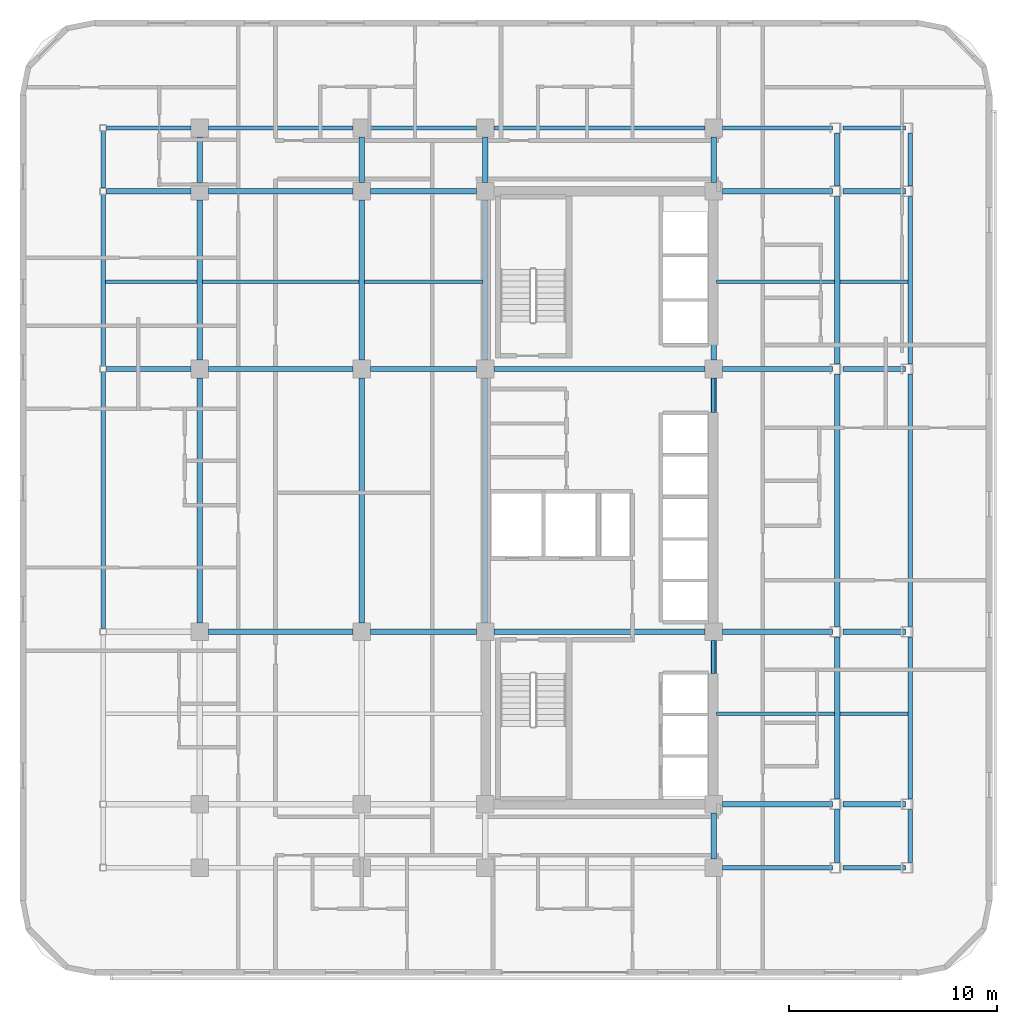
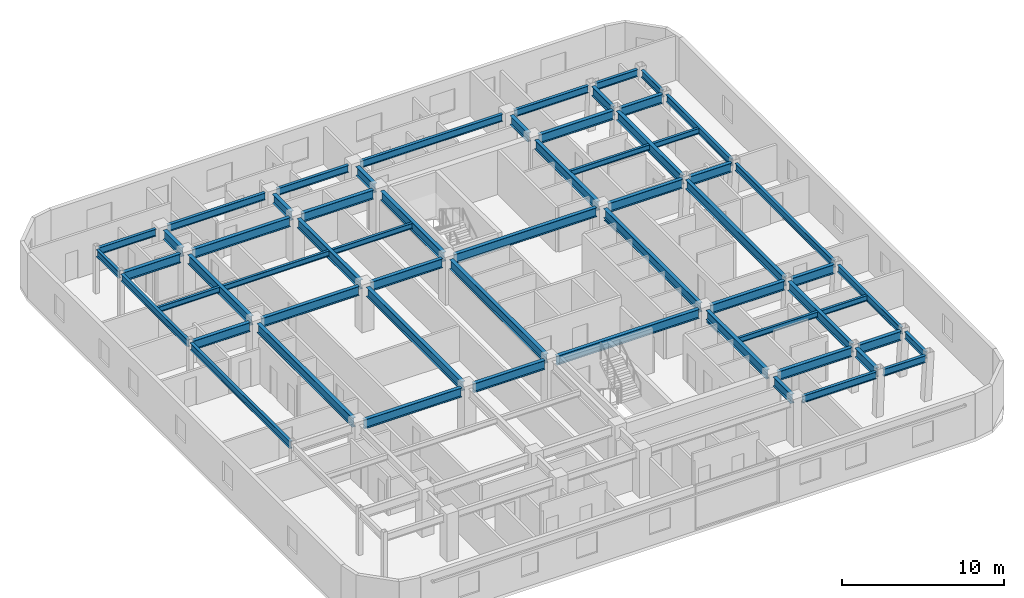
# One storey, part 5 of 15: 62 beams.
"""IFC4 building model written with IfcOpenShell, lengths in metres."""

from ifc_helpers import new_model, si_unit, direction, frame, origin, origin_2d, place, context, subcontext, project, spatial, i_section, extrude, material, material_profile, profile_set, type_object, element, save


model = new_model("IFC4")

# Units and contexts
model_context = context("Model", 3, precision=1e-05, world=origin(), true_north=direction((0.0, 1.0)))
body_context = subcontext(model_context, "Body", "Model", "MODEL_VIEW")
ifc_project = project(units=[si_unit("LENGTHUNIT", "METRE"), si_unit("AREAUNIT", "SQUARE_METRE"), si_unit("VOLUMEUNIT", "CUBIC_METRE"), si_unit("PLANEANGLEUNIT", "RADIAN"), si_unit("MASSUNIT", "GRAM", prefix="KILO")], contexts=[model_context])

# Site, building, storey
site_placement = place(None, origin())
site = spatial("IfcSite", under=ifc_project, at=site_placement, CompositionType="ELEMENT")
building_placement = place(site_placement, origin())
building = spatial("IfcBuilding", under=site, at=building_placement, Name="Ochreholt Gables", CompositionType="ELEMENT")
storey_placement = place(building_placement, frame((0.0, 0.0, 31.199951171875)))
storey = spatial("IfcBuildingStorey", under=building, at=storey_placement, Name="L07", CompositionType="ELEMENT", Elevation=31.199951171875)

# Beams
ifc_material = material(Name="Steel CSA G40.21 350W", Category="steel")
ifc_material_profile_1 = material_profile(ifc_material, i_section(OverallWidth=0.256103515625, OverallDepth=0.693115234375, WebThickness=0.014404296875, FlangeThickness=0.023681640625, at=origin_2d()), Name="W690X170")
ifc_profile_set_1 = profile_set([ifc_material_profile_1], Name="Steel CSA G40.21 350W")
beam_type_1 = type_object("IfcBeamType", Name="BM-G-W690", PredefinedType="BEAM", material=ifc_profile_set_1)
beam_1_placement = place(storey_placement, frame((35.62451171875, 9.25, 3.013427734375), z_axis=(1.0, 0.0, 0.0), x_axis=(0.0, 1.0, 0.0)))
element("IfcBeam", 1, at=beam_1_placement, inside=storey, type_object=beam_type_1, Name="L07 Beam TBG-L07-C2EM-Y2", PredefinedType="BEAM", context=body_context, shape_type="SweptSolid", body=[
    extrude(i_section(OverallWidth=0.256103515625, OverallDepth=0.693115234375, WebThickness=0.014404296875, FlangeThickness=0.023681640625, at=origin_2d()), origin(), (0.0, 0.0, 1.0), 5.27978515625),
])
beam_2_placement = place(storey_placement, frame((41.403564453125, 9.25, 3.013427734375), z_axis=(1.0, 0.0, 0.0), x_axis=(0.0, 1.0, 0.0)))
element("IfcBeam", 2, at=beam_2_placement, inside=storey, type_object=beam_type_1, Name="L07 Beam TBG-L07-EMEE-Y2", PredefinedType="BEAM", context=body_context, shape_type="SweptSolid", body=[
    extrude(i_section(OverallWidth=0.256103515625, OverallDepth=0.693115234375, WebThickness=0.014404296875, FlangeThickness=0.023681640625, at=origin_2d()), origin(), (0.0, 0.0, 1.0), 3.02197265625),
])
beam_3_placement = place(storey_placement, frame((10.87451171875, 17.550048828125, 3.013427734375), z_axis=(1.0, 0.0, 0.0), x_axis=(0.0, 1.0, 0.0)))
element("IfcBeam", 3, at=beam_3_placement, inside=storey, type_object=beam_type_1, Name="L07 Beam TBG-L07-W2W3-Y3", PredefinedType="BEAM", context=body_context, shape_type="SweptSolid", body=[
    extrude(i_section(OverallWidth=0.256103515625, OverallDepth=0.693115234375, WebThickness=0.014404296875, FlangeThickness=0.023681640625, at=origin_2d()), origin(), (0.0, 0.0, 1.0), 6.950927734375),
])
beam_4_placement = place(storey_placement, frame((18.674560546875, 17.550048828125, 3.013427734375), z_axis=(1.0, 0.0, 0.0), x_axis=(0.0, 1.0, 0.0)))
element("IfcBeam", 4, at=beam_4_placement, inside=storey, type_object=beam_type_1, Name="L07 Beam TBG-L07-W3C1-Y3", PredefinedType="BEAM", context=body_context, shape_type="SweptSolid", body=[
    extrude(i_section(OverallWidth=0.256103515625, OverallDepth=0.693115234375, WebThickness=0.014404296875, FlangeThickness=0.023681640625, at=origin_2d()), origin(), (0.0, 0.0, 1.0), 5.100830078125),
])
beam_5_placement = place(storey_placement, frame((24.62451171875, 17.550048828125, 3.013427734375), z_axis=(1.0, 0.0, 0.0), x_axis=(0.0, 1.0, 0.0)))
element("IfcBeam", 5, at=beam_5_placement, inside=storey, type_object=beam_type_1, Name="L07 Beam TBG-L07-C1C2-Y3", PredefinedType="BEAM", context=body_context, shape_type="SweptSolid", body=[
    extrude(i_section(OverallWidth=0.256103515625, OverallDepth=0.693115234375, WebThickness=0.014404296875, FlangeThickness=0.023681640625, at=origin_2d()), origin(), (0.0, 0.0, 1.0), 10.15087890625),
])
beam_6_placement = place(storey_placement, frame((35.62451171875, 17.550048828125, 3.013427734375), z_axis=(1.0, 0.0, 0.0), x_axis=(0.0, 1.0, 0.0)))
element("IfcBeam", 6, at=beam_6_placement, inside=storey, type_object=beam_type_1, Name="L07 Beam TBG-L07-C2EM-Y3", PredefinedType="BEAM", context=body_context, shape_type="SweptSolid", body=[
    extrude(i_section(OverallWidth=0.256103515625, OverallDepth=0.693115234375, WebThickness=0.014404296875, FlangeThickness=0.023681640625, at=origin_2d()), origin(), (0.0, 0.0, 1.0), 5.27978515625),
])
beam_7_placement = place(storey_placement, frame((41.403564453125, 17.550048828125, 3.013427734375), z_axis=(1.0, 0.0, 0.0), x_axis=(0.0, 1.0, 0.0)))
element("IfcBeam", 7, at=beam_7_placement, inside=storey, type_object=beam_type_1, Name="L07 Beam TBG-L07-EMEE-Y3", PredefinedType="BEAM", context=body_context, shape_type="SweptSolid", body=[
    extrude(i_section(OverallWidth=0.256103515625, OverallDepth=0.693115234375, WebThickness=0.014404296875, FlangeThickness=0.023681640625, at=origin_2d()), origin(), (0.0, 0.0, 1.0), 3.02197265625),
])
beam_8_placement = place(storey_placement, frame((5.9521484375, 30.199951171875, 3.013427734375), z_axis=(1.0, 0.0, 0.0), x_axis=(0.0, 1.0, 0.0)))
element("IfcBeam", 8, at=beam_8_placement, inside=storey, type_object=beam_type_1, Name="L07 Beam TBG-L07-WTW2-Y4", PredefinedType="BEAM", context=body_context, shape_type="SweptSolid", body=[
    extrude(i_section(OverallWidth=0.256103515625, OverallDepth=0.693115234375, WebThickness=0.014404296875, FlangeThickness=0.023681640625, at=origin_2d()), origin(), (0.0, 0.0, 1.0), 4.0732421875),
])
beam_9_placement = place(storey_placement, frame((10.87451171875, 30.199951171875, 3.013427734375), z_axis=(1.0, 0.0, 0.0), x_axis=(0.0, 1.0, 0.0)))
element("IfcBeam", 9, at=beam_9_placement, inside=storey, type_object=beam_type_1, Name="L07 Beam TBG-L07-W2W3-Y4", PredefinedType="BEAM", context=body_context, shape_type="SweptSolid", body=[
    extrude(i_section(OverallWidth=0.256103515625, OverallDepth=0.693115234375, WebThickness=0.014404296875, FlangeThickness=0.023681640625, at=origin_2d()), origin(), (0.0, 0.0, 1.0), 6.950927734375),
])
beam_10_placement = place(storey_placement, frame((18.674560546875, 30.199951171875, 3.013427734375), z_axis=(1.0, 0.0, 0.0), x_axis=(0.0, 1.0, 0.0)))
element("IfcBeam", 10, at=beam_10_placement, inside=storey, type_object=beam_type_1, Name="L07 Beam TBG-L07-W3C1-Y4", PredefinedType="BEAM", context=body_context, shape_type="SweptSolid", body=[
    extrude(i_section(OverallWidth=0.256103515625, OverallDepth=0.693115234375, WebThickness=0.014404296875, FlangeThickness=0.023681640625, at=origin_2d()), origin(), (0.0, 0.0, 1.0), 5.100830078125),
])
beam_11_placement = place(storey_placement, frame((24.62451171875, 30.199951171875, 3.013427734375), z_axis=(1.0, 0.0, 0.0), x_axis=(0.0, 1.0, 0.0)))
element("IfcBeam", 11, at=beam_11_placement, inside=storey, type_object=beam_type_1, Name="L07 Beam TBG-L07-C1C2-Y4", PredefinedType="BEAM", context=body_context, shape_type="SweptSolid", body=[
    extrude(i_section(OverallWidth=0.256103515625, OverallDepth=0.693115234375, WebThickness=0.014404296875, FlangeThickness=0.023681640625, at=origin_2d()), origin(), (0.0, 0.0, 1.0), 10.15087890625),
])
beam_12_placement = place(storey_placement, frame((35.62451171875, 30.199951171875, 3.013427734375), z_axis=(1.0, 0.0, 0.0), x_axis=(0.0, 1.0, 0.0)))
element("IfcBeam", 12, at=beam_12_placement, inside=storey, type_object=beam_type_1, Name="L07 Beam TBG-L07-C2EM-Y4", PredefinedType="BEAM", context=body_context, shape_type="SweptSolid", body=[
    extrude(i_section(OverallWidth=0.256103515625, OverallDepth=0.693115234375, WebThickness=0.014404296875, FlangeThickness=0.023681640625, at=origin_2d()), origin(), (0.0, 0.0, 1.0), 5.27978515625),
])
beam_13_placement = place(storey_placement, frame((41.403564453125, 30.199951171875, 3.013427734375), z_axis=(1.0, 0.0, 0.0), x_axis=(0.0, 1.0, 0.0)))
element("IfcBeam", 13, at=beam_13_placement, inside=storey, type_object=beam_type_1, Name="L07 Beam TBG-L07-EMEE-Y4", PredefinedType="BEAM", context=body_context, shape_type="SweptSolid", body=[
    extrude(i_section(OverallWidth=0.256103515625, OverallDepth=0.693115234375, WebThickness=0.014404296875, FlangeThickness=0.023681640625, at=origin_2d()), origin(), (0.0, 0.0, 1.0), 3.02197265625),
])
beam_14_placement = place(storey_placement, frame((5.9521484375, 38.75, 3.013427734375), z_axis=(1.0, 0.0, 0.0), x_axis=(0.0, 1.0, 0.0)))
element("IfcBeam", 14, at=beam_14_placement, inside=storey, type_object=beam_type_1, Name="L07 Beam TBG-L07-WTW2-Y5", PredefinedType="BEAM", context=body_context, shape_type="SweptSolid", body=[
    extrude(i_section(OverallWidth=0.256103515625, OverallDepth=0.693115234375, WebThickness=0.014404296875, FlangeThickness=0.023681640625, at=origin_2d()), origin(), (0.0, 0.0, 1.0), 4.0732421875),
])
beam_15_placement = place(storey_placement, frame((10.87451171875, 38.75, 3.013427734375), z_axis=(1.0, 0.0, 0.0), x_axis=(0.0, 1.0, 0.0)))
element("IfcBeam", 15, at=beam_15_placement, inside=storey, type_object=beam_type_1, Name="L07 Beam TBG-L07-W2W3-Y5", PredefinedType="BEAM", context=body_context, shape_type="SweptSolid", body=[
    extrude(i_section(OverallWidth=0.256103515625, OverallDepth=0.693115234375, WebThickness=0.014404296875, FlangeThickness=0.023681640625, at=origin_2d()), origin(), (0.0, 0.0, 1.0), 6.950927734375),
])
beam_16_placement = place(storey_placement, frame((18.674560546875, 38.75, 3.013427734375), z_axis=(1.0, 0.0, 0.0), x_axis=(0.0, 1.0, 0.0)))
element("IfcBeam", 16, at=beam_16_placement, inside=storey, type_object=beam_type_1, Name="L07 Beam TBG-L07-W3C1-Y5", PredefinedType="BEAM", context=body_context, shape_type="SweptSolid", body=[
    extrude(i_section(OverallWidth=0.256103515625, OverallDepth=0.693115234375, WebThickness=0.014404296875, FlangeThickness=0.023681640625, at=origin_2d()), origin(), (0.0, 0.0, 1.0), 5.100830078125),
])
beam_17_placement = place(storey_placement, frame((35.62451171875, 38.75, 3.013427734375), z_axis=(1.0, 0.0, 0.0), x_axis=(0.0, 1.0, 0.0)))
element("IfcBeam", 17, at=beam_17_placement, inside=storey, type_object=beam_type_1, Name="L07 Beam TBG-L07-C2EM-Y5", PredefinedType="BEAM", context=body_context, shape_type="SweptSolid", body=[
    extrude(i_section(OverallWidth=0.256103515625, OverallDepth=0.693115234375, WebThickness=0.014404296875, FlangeThickness=0.023681640625, at=origin_2d()), origin(), (0.0, 0.0, 1.0), 5.27978515625),
])
beam_18_placement = place(storey_placement, frame((41.403564453125, 38.75, 3.013427734375), z_axis=(1.0, 0.0, 0.0), x_axis=(0.0, 1.0, 0.0)))
element("IfcBeam", 18, at=beam_18_placement, inside=storey, type_object=beam_type_1, Name="L07 Beam TBG-L07-EMEE-Y5", PredefinedType="BEAM", context=body_context, shape_type="SweptSolid", body=[
    extrude(i_section(OverallWidth=0.256103515625, OverallDepth=0.693115234375, WebThickness=0.014404296875, FlangeThickness=0.023681640625, at=origin_2d()), origin(), (0.0, 0.0, 1.0), 3.02197265625),
])
beam_19_placement = place(storey_placement, frame((10.449951171875, 17.974609375, 3.013427734375), z_axis=(0.0, 1.0, 0.0), x_axis=(-1.0, 0.0, 0.0)))
element("IfcBeam", 19, at=beam_19_placement, inside=storey, type_object=beam_type_1, Name="L07 Beam TBN-L07-W2-Y3Y4", PredefinedType="BEAM", context=body_context, shape_type="SweptSolid", body=[
    extrude(i_section(OverallWidth=0.256103515625, OverallDepth=0.693115234375, WebThickness=0.014404296875, FlangeThickness=0.023681640625, at=origin_2d()), origin(), (0.0, 0.0, 1.0), 11.80078125),
])
beam_20_placement = place(storey_placement, frame((10.449951171875, 30.62451171875, 3.013427734375), z_axis=(0.0, 1.0, 0.0), x_axis=(-1.0, 0.0, 0.0)))
element("IfcBeam", 20, at=beam_20_placement, inside=storey, type_object=beam_type_1, Name="L07 Beam TBN-L07-W2-Y4Y5", PredefinedType="BEAM", context=body_context, shape_type="SweptSolid", body=[
    extrude(i_section(OverallWidth=0.256103515625, OverallDepth=0.693115234375, WebThickness=0.014404296875, FlangeThickness=0.023681640625, at=origin_2d()), origin(), (0.0, 0.0, 1.0), 7.700927734375),
])
beam_21_placement = place(storey_placement, frame((10.449951171875, 39.174560546875, 3.013427734375), z_axis=(0.0, 1.0, 0.0), x_axis=(-1.0, 0.0, 0.0)))
element("IfcBeam", 21, at=beam_21_placement, inside=storey, type_object=beam_type_1, Name="L07 Beam TBN-L07-W2-Y5Y6", PredefinedType="BEAM", context=body_context, shape_type="SweptSolid", body=[
    extrude(i_section(OverallWidth=0.256103515625, OverallDepth=0.693115234375, WebThickness=0.014404296875, FlangeThickness=0.023681640625, at=origin_2d()), origin(), (0.0, 0.0, 1.0), 2.200927734375),
])
beam_22_placement = place(storey_placement, frame((18.25, 17.974609375, 3.013427734375), z_axis=(0.0, 1.0, 0.0), x_axis=(-1.0, 0.0, 0.0)))
element("IfcBeam", 22, at=beam_22_placement, inside=storey, type_object=beam_type_1, Name="L07 Beam TBN-L07-W3-Y3Y4", PredefinedType="BEAM", context=body_context, shape_type="SweptSolid", body=[
    extrude(i_section(OverallWidth=0.256103515625, OverallDepth=0.693115234375, WebThickness=0.014404296875, FlangeThickness=0.023681640625, at=origin_2d()), origin(), (0.0, 0.0, 1.0), 11.80078125),
])
beam_23_placement = place(storey_placement, frame((18.25, 30.62451171875, 3.013427734375), z_axis=(0.0, 1.0, 0.0), x_axis=(-1.0, 0.0, 0.0)))
element("IfcBeam", 23, at=beam_23_placement, inside=storey, type_object=beam_type_1, Name="L07 Beam TBN-L07-W3-Y4Y5", PredefinedType="BEAM", context=body_context, shape_type="SweptSolid", body=[
    extrude(i_section(OverallWidth=0.256103515625, OverallDepth=0.693115234375, WebThickness=0.014404296875, FlangeThickness=0.023681640625, at=origin_2d()), origin(), (0.0, 0.0, 1.0), 7.700927734375),
])
beam_24_placement = place(storey_placement, frame((18.25, 39.174560546875, 3.013427734375), z_axis=(0.0, 1.0, 0.0), x_axis=(-1.0, 0.0, 0.0)))
element("IfcBeam", 24, at=beam_24_placement, inside=storey, type_object=beam_type_1, Name="L07 Beam TBN-L07-W3-Y5Y6", PredefinedType="BEAM", context=body_context, shape_type="SweptSolid", body=[
    extrude(i_section(OverallWidth=0.256103515625, OverallDepth=0.693115234375, WebThickness=0.014404296875, FlangeThickness=0.023681640625, at=origin_2d()), origin(), (0.0, 0.0, 1.0), 2.200927734375),
])
beam_25_placement = place(storey_placement, frame((24.199951171875, 17.974609375, 3.013427734375), z_axis=(0.0, 1.0, 0.0), x_axis=(-1.0, 0.0, 0.0)))
element("IfcBeam", 25, at=beam_25_placement, inside=storey, type_object=beam_type_1, Name="L07 Beam TBN-L07-C1-Y3Y4", PredefinedType="BEAM", context=body_context, shape_type="SweptSolid", body=[
    extrude(i_section(OverallWidth=0.256103515625, OverallDepth=0.693115234375, WebThickness=0.014404296875, FlangeThickness=0.023681640625, at=origin_2d()), origin(), (0.0, 0.0, 1.0), 11.80078125),
])
beam_26_placement = place(storey_placement, frame((24.199951171875, 30.62451171875, 3.013427734375), z_axis=(0.0, 1.0, 0.0), x_axis=(-1.0, 0.0, 0.0)))
element("IfcBeam", 26, at=beam_26_placement, inside=storey, type_object=beam_type_1, Name="L07 Beam TBN-L07-C1-Y4Y5", PredefinedType="BEAM", context=body_context, shape_type="SweptSolid", body=[
    extrude(i_section(OverallWidth=0.256103515625, OverallDepth=0.693115234375, WebThickness=0.014404296875, FlangeThickness=0.023681640625, at=origin_2d()), origin(), (0.0, 0.0, 1.0), 7.700927734375),
])
for number, where, z_axis, x_axis, name in (
    (27, (24.199951171875, 39.174560546875, 3.013427734375), (0.0, 1.0, 0.0), (-1.0, 0.0, 0.0), "L07 Beam TBN-L07-C1-Y5Y6"),
    (28, (35.199951171875, 6.62451171875, 3.013427734375), (0.0, 1.0, 0.0), (-1.0, 0.0, 0.0), "L07 Beam TBN-L07-C2-Y1Y2"),
):
    element("IfcBeam", number, at=place(storey_placement, frame(where, z_axis=z_axis, x_axis=x_axis)), inside=storey, type_object=beam_type_1, Name=name, PredefinedType="BEAM", context=body_context, shape_type="SweptSolid", body=[
        extrude(i_section(OverallWidth=0.256103515625, OverallDepth=0.693115234375, WebThickness=0.014404296875, FlangeThickness=0.023681640625, at=origin_2d()), origin(), (0.0, 0.0, 1.0), 2.200927734375),
    ])
beam_27_placement = place(storey_placement, frame((35.199951171875, 9.674560546875, 3.013427734375), z_axis=(0.0, 1.0, 0.0), x_axis=(-1.0, 0.0, 0.0)))
element("IfcBeam", 29, at=beam_27_placement, inside=storey, type_object=beam_type_1, Name="L07 Beam TBN-L07-C2-Y2Y3", PredefinedType="BEAM", context=body_context, shape_type="SweptSolid", body=[
    extrude(i_section(OverallWidth=0.256103515625, OverallDepth=0.693115234375, WebThickness=0.014404296875, FlangeThickness=0.023681640625, at=origin_2d()), origin(), (0.0, 0.0, 1.0), 7.450927734375),
])
beam_28_placement = place(storey_placement, frame((35.199951171875, 17.974609375, 3.013427734375), z_axis=(0.0, 1.0, 0.0), x_axis=(-1.0, 0.0, 0.0)))
element("IfcBeam", 30, at=beam_28_placement, inside=storey, type_object=beam_type_1, Name="L07 Beam TBN-L07-C2-Y3Y4", PredefinedType="BEAM", context=body_context, shape_type="SweptSolid", body=[
    extrude(i_section(OverallWidth=0.256103515625, OverallDepth=0.693115234375, WebThickness=0.014404296875, FlangeThickness=0.023681640625, at=origin_2d()), origin(), (0.0, 0.0, 1.0), 11.80078125),
])
beam_29_placement = place(storey_placement, frame((35.199951171875, 30.62451171875, 3.013427734375), z_axis=(0.0, 1.0, 0.0), x_axis=(-1.0, 0.0, 0.0)))
element("IfcBeam", 31, at=beam_29_placement, inside=storey, type_object=beam_type_1, Name="L07 Beam TBN-L07-C2-Y4Y5", PredefinedType="BEAM", context=body_context, shape_type="SweptSolid", body=[
    extrude(i_section(OverallWidth=0.256103515625, OverallDepth=0.693115234375, WebThickness=0.014404296875, FlangeThickness=0.023681640625, at=origin_2d()), origin(), (0.0, 0.0, 1.0), 7.700927734375),
])
beam_30_placement = place(storey_placement, frame((35.199951171875, 39.174560546875, 3.013427734375), z_axis=(0.0, 1.0, 0.0), x_axis=(-1.0, 0.0, 0.0)))
element("IfcBeam", 32, at=beam_30_placement, inside=storey, type_object=beam_type_1, Name="L07 Beam TBN-L07-C2-Y5Y6", PredefinedType="BEAM", context=body_context, shape_type="SweptSolid", body=[
    extrude(i_section(OverallWidth=0.256103515625, OverallDepth=0.693115234375, WebThickness=0.014404296875, FlangeThickness=0.023681640625, at=origin_2d()), origin(), (0.0, 0.0, 1.0), 2.200927734375),
])
beam_31_placement = place(storey_placement, frame((41.136962890625, 6.44970703125, 3.013427734375), z_axis=(0.0, 1.0, 0.0), x_axis=(-1.0, 0.0, 0.0)))
element("IfcBeam", 33, at=beam_31_placement, inside=storey, type_object=beam_type_1, Name="L07 Beam TBN-L07-EM-Y1Y2", PredefinedType="BEAM", context=body_context, shape_type="SweptSolid", body=[
    extrude(i_section(OverallWidth=0.256103515625, OverallDepth=0.693115234375, WebThickness=0.014404296875, FlangeThickness=0.023681640625, at=origin_2d()), origin(), (0.0, 0.0, 1.0), 2.55078125),
])
beam_32_placement = place(storey_placement, frame((41.136962890625, 9.49951171875, 3.013427734375), z_axis=(0.0, 1.0, 0.0), x_axis=(-1.0, 0.0, 0.0)))
element("IfcBeam", 34, at=beam_32_placement, inside=storey, type_object=beam_type_1, Name="L07 Beam TBN-L07-EM-Y2Y3", PredefinedType="BEAM", context=body_context, shape_type="SweptSolid", body=[
    extrude(i_section(OverallWidth=0.256103515625, OverallDepth=0.693115234375, WebThickness=0.014404296875, FlangeThickness=0.023681640625, at=origin_2d()), origin(), (0.0, 0.0, 1.0), 7.80078125),
])
beam_33_placement = place(storey_placement, frame((41.136962890625, 17.799560546875, 3.013427734375), z_axis=(0.0, 1.0, 0.0), x_axis=(-1.0, 0.0, 0.0)))
element("IfcBeam", 35, at=beam_33_placement, inside=storey, type_object=beam_type_1, Name="L07 Beam TBN-L07-EM-Y3Y4", PredefinedType="BEAM", context=body_context, shape_type="SweptSolid", body=[
    extrude(i_section(OverallWidth=0.256103515625, OverallDepth=0.693115234375, WebThickness=0.014404296875, FlangeThickness=0.023681640625, at=origin_2d()), origin(), (0.0, 0.0, 1.0), 12.15087890625),
])
beam_34_placement = place(storey_placement, frame((41.136962890625, 30.44970703125, 3.013427734375), z_axis=(0.0, 1.0, 0.0), x_axis=(-1.0, 0.0, 0.0)))
element("IfcBeam", 36, at=beam_34_placement, inside=storey, type_object=beam_type_1, Name="L07 Beam TBN-L07-EM-Y4Y5", PredefinedType="BEAM", context=body_context, shape_type="SweptSolid", body=[
    extrude(i_section(OverallWidth=0.256103515625, OverallDepth=0.693115234375, WebThickness=0.014404296875, FlangeThickness=0.023681640625, at=origin_2d()), origin(), (0.0, 0.0, 1.0), 8.05078125),
])
beam_35_placement = place(storey_placement, frame((41.136962890625, 38.99951171875, 3.013427734375), z_axis=(0.0, 1.0, 0.0), x_axis=(-1.0, 0.0, 0.0)))
element("IfcBeam", 37, at=beam_35_placement, inside=storey, type_object=beam_type_1, Name="L07 Beam TBN-L07-EM-Y5Y6", PredefinedType="BEAM", context=body_context, shape_type="SweptSolid", body=[
    extrude(i_section(OverallWidth=0.256103515625, OverallDepth=0.693115234375, WebThickness=0.014404296875, FlangeThickness=0.023681640625, at=origin_2d()), origin(), (0.0, 0.0, 1.0), 2.55078125),
])
ifc_material_profile_2 = material_profile(ifc_material, i_section(OverallWidth=0.178955078125, OverallDepth=0.409912109375, WebThickness=0.0087890625, FlangeThickness=0.014404296875, at=origin_2d()), Name="W410X67")
ifc_profile_set_2 = profile_set([ifc_material_profile_2], Name="Steel CSA G40.21 350W")
beam_type_2 = type_object("IfcBeamType", Name="BM-J-W410", PredefinedType="JOIST", material=ifc_profile_set_2)
beam_36_placement = place(storey_placement, frame((35.32763671875, 13.60009765625, 3.155029296875), z_axis=(1.0, 0.0, 0.0), x_axis=(0.0, 1.0, 0.0)))
element("IfcBeam", 38, at=beam_36_placement, inside=storey, type_object=beam_type_2, Name="L07 Beam TBJ-L07-J1-C2EM", PredefinedType="JOIST", context=body_context, shape_type="SweptSolid", body=[
    extrude(i_section(OverallWidth=0.178955078125, OverallDepth=0.409912109375, WebThickness=0.0087890625, FlangeThickness=0.014404296875, at=origin_2d()), origin(), (0.0, 0.0, 1.0), 5.681640625),
])
beam_37_placement = place(storey_placement, frame((41.264404296875, 13.60009765625, 3.155029296875), z_axis=(1.0, 0.0, 0.0), x_axis=(0.0, 1.0, 0.0)))
element("IfcBeam", 39, at=beam_37_placement, inside=storey, type_object=beam_type_2, Name="L07 Beam TBJ-L07-J1-EMEE", PredefinedType="JOIST", context=body_context, shape_type="SweptSolid", body=[
    extrude(i_section(OverallWidth=0.178955078125, OverallDepth=0.409912109375, WebThickness=0.0087890625, FlangeThickness=0.014404296875, at=origin_2d()), origin(), (0.0, 0.0, 1.0), 3.2783203125),
])
beam_38_placement = place(storey_placement, frame((5.904052734375, 34.39990234375, 3.155029296875), z_axis=(1.0, 0.0, 0.0), x_axis=(0.0, 1.0, 0.0)))
element("IfcBeam", 40, at=beam_38_placement, inside=storey, type_object=beam_type_2, Name="L07 Beam TBJ-L07-J2-WTW2", PredefinedType="JOIST", context=body_context, shape_type="SweptSolid", body=[
    extrude(i_section(OverallWidth=0.178955078125, OverallDepth=0.409912109375, WebThickness=0.0087890625, FlangeThickness=0.014404296875, at=origin_2d()), origin(), (0.0, 0.0, 1.0), 4.41845703125),
])
beam_39_placement = place(storey_placement, frame((10.57763671875, 34.39990234375, 3.155029296875), z_axis=(1.0, 0.0, 0.0), x_axis=(0.0, 1.0, 0.0)))
element("IfcBeam", 41, at=beam_39_placement, inside=storey, type_object=beam_type_2, Name="L07 Beam TBJ-L07-J2-W2W3", PredefinedType="JOIST", context=body_context, shape_type="SweptSolid", body=[
    extrude(i_section(OverallWidth=0.178955078125, OverallDepth=0.409912109375, WebThickness=0.0087890625, FlangeThickness=0.014404296875, at=origin_2d()), origin(), (0.0, 0.0, 1.0), 7.544677734375),
])
beam_40_placement = place(storey_placement, frame((18.377685546875, 34.39990234375, 3.155029296875), z_axis=(1.0, 0.0, 0.0), x_axis=(0.0, 1.0, 0.0)))
element("IfcBeam", 42, at=beam_40_placement, inside=storey, type_object=beam_type_2, Name="L07 Beam TBJ-L07-J2-W3C1", PredefinedType="JOIST", context=body_context, shape_type="SweptSolid", body=[
    extrude(i_section(OverallWidth=0.178955078125, OverallDepth=0.409912109375, WebThickness=0.0087890625, FlangeThickness=0.014404296875, at=origin_2d()), origin(), (0.0, 0.0, 1.0), 5.69482421875),
])
beam_41_placement = place(storey_placement, frame((35.32763671875, 34.39990234375, 3.155029296875), z_axis=(1.0, 0.0, 0.0), x_axis=(0.0, 1.0, 0.0)))
element("IfcBeam", 43, at=beam_41_placement, inside=storey, type_object=beam_type_2, Name="L07 Beam TBJ-L07-J2-C2EM", PredefinedType="JOIST", context=body_context, shape_type="SweptSolid", body=[
    extrude(i_section(OverallWidth=0.178955078125, OverallDepth=0.409912109375, WebThickness=0.0087890625, FlangeThickness=0.014404296875, at=origin_2d()), origin(), (0.0, 0.0, 1.0), 5.681640625),
])
beam_42_placement = place(storey_placement, frame((41.264404296875, 34.39990234375, 3.155029296875), z_axis=(1.0, 0.0, 0.0), x_axis=(0.0, 1.0, 0.0)))
element("IfcBeam", 44, at=beam_42_placement, inside=storey, type_object=beam_type_2, Name="L07 Beam TBJ-L07-J2-EMEE", PredefinedType="JOIST", context=body_context, shape_type="SweptSolid", body=[
    extrude(i_section(OverallWidth=0.178955078125, OverallDepth=0.409912109375, WebThickness=0.0087890625, FlangeThickness=0.014404296875, at=origin_2d()), origin(), (0.0, 0.0, 1.0), 3.2783203125),
])
ifc_material_profile_3 = material_profile(ifc_material, i_section(OverallWidth=0.1650390625, OverallDepth=0.200927734375, WebThickness=0.006103515625, FlangeThickness=0.01025390625, at=origin_2d()), Name="W200X36")
ifc_profile_set_3 = profile_set([ifc_material_profile_3], Name="Steel CSA G40.21 350W")
beam_type_3 = type_object("IfcBeamType", Name="BM-LIN-W200", PredefinedType="LINTEL", material=ifc_profile_set_3)
beam_43_placement = place(storey_placement, frame((35.175048828125, 15.550048828125, 2.566650390625), z_axis=(0.0, 1.0, 0.0), x_axis=(-1.0, 0.0, 0.0)))
element("IfcBeam", 45, at=beam_43_placement, inside=storey, type_object=beam_type_3, Name="L07 Core Coupling Lintel CPS", PredefinedType="LINTEL", context=body_context, shape_type="SweptSolid", body=[
    extrude(i_section(OverallWidth=0.1650390625, OverallDepth=0.200927734375, WebThickness=0.006103515625, FlangeThickness=0.01025390625, at=origin_2d()), origin(), (0.0, 0.0, 1.0), 1.574951171875),
])
beam_44_placement = place(storey_placement, frame((35.175048828125, 28.10009765625, 2.566650390625), z_axis=(0.0, 1.0, 0.0), x_axis=(-1.0, 0.0, 0.0)))
element("IfcBeam", 46, at=beam_44_placement, inside=storey, type_object=beam_type_3, Name="L07 Core Coupling Lintel CPN", PredefinedType="LINTEL", context=body_context, shape_type="SweptSolid", body=[
    extrude(i_section(OverallWidth=0.1650390625, OverallDepth=0.200927734375, WebThickness=0.006103515625, FlangeThickness=0.01025390625, at=origin_2d()), origin(), (0.0, 0.0, 1.0), 1.6748046875),
])
ifc_material_profile_4 = material_profile(ifc_material, i_section(OverallWidth=0.208984375, OverallDepth=0.532958984375, WebThickness=0.01025390625, FlangeThickness=0.015625, at=origin_2d()), Name="W530X92")
ifc_profile_set_4 = profile_set([ifc_material_profile_4], Name="Steel CSA G40.21 350W")
beam_type_4 = type_object("IfcBeamType", Name="BM-SP-W530B", PredefinedType="SPANDREL", material=ifc_profile_set_4)
beam_45_placement = place(storey_placement, frame((35.62451171875, 6.199951171875, 3.093505859375), z_axis=(1.0, 0.0, 0.0), x_axis=(0.0, 1.0, 0.0)))
element("IfcBeam", 47, at=beam_45_placement, inside=storey, type_object=beam_type_4, Name="L07 Beam TBG-L07-C2EM-Y1", PredefinedType="SPANDREL", context=body_context, shape_type="SweptSolid", body=[
    extrude(i_section(OverallWidth=0.208984375, OverallDepth=0.532958984375, WebThickness=0.01025390625, FlangeThickness=0.015625, at=origin_2d()), origin(), (0.0, 0.0, 1.0), 5.27978515625),
])
beam_46_placement = place(storey_placement, frame((41.403564453125, 6.199951171875, 3.093505859375), z_axis=(1.0, 0.0, 0.0), x_axis=(0.0, 1.0, 0.0)))
element("IfcBeam", 48, at=beam_46_placement, inside=storey, type_object=beam_type_4, Name="L07 Beam TBG-L07-EMEE-Y1", PredefinedType="SPANDREL", context=body_context, shape_type="SweptSolid", body=[
    extrude(i_section(OverallWidth=0.208984375, OverallDepth=0.532958984375, WebThickness=0.01025390625, FlangeThickness=0.015625, at=origin_2d()), origin(), (0.0, 0.0, 1.0), 3.02197265625),
])
beam_47_placement = place(storey_placement, frame((5.9521484375, 41.800048828125, 3.093505859375), z_axis=(1.0, 0.0, 0.0), x_axis=(0.0, 1.0, 0.0)))
element("IfcBeam", 49, at=beam_47_placement, inside=storey, type_object=beam_type_4, Name="L07 Beam TBG-L07-WTW2-Y6", PredefinedType="SPANDREL", context=body_context, shape_type="SweptSolid", body=[
    extrude(i_section(OverallWidth=0.208984375, OverallDepth=0.532958984375, WebThickness=0.01025390625, FlangeThickness=0.015625, at=origin_2d()), origin(), (0.0, 0.0, 1.0), 4.0732421875),
])
beam_48_placement = place(storey_placement, frame((10.87451171875, 41.800048828125, 3.093505859375), z_axis=(1.0, 0.0, 0.0), x_axis=(0.0, 1.0, 0.0)))
element("IfcBeam", 50, at=beam_48_placement, inside=storey, type_object=beam_type_4, Name="L07 Beam TBG-L07-W2W3-Y6", PredefinedType="SPANDREL", context=body_context, shape_type="SweptSolid", body=[
    extrude(i_section(OverallWidth=0.208984375, OverallDepth=0.532958984375, WebThickness=0.01025390625, FlangeThickness=0.015625, at=origin_2d()), origin(), (0.0, 0.0, 1.0), 6.950927734375),
])
beam_49_placement = place(storey_placement, frame((18.674560546875, 41.800048828125, 3.093505859375), z_axis=(1.0, 0.0, 0.0), x_axis=(0.0, 1.0, 0.0)))
element("IfcBeam", 51, at=beam_49_placement, inside=storey, type_object=beam_type_4, Name="L07 Beam TBG-L07-W3C1-Y6", PredefinedType="SPANDREL", context=body_context, shape_type="SweptSolid", body=[
    extrude(i_section(OverallWidth=0.208984375, OverallDepth=0.532958984375, WebThickness=0.01025390625, FlangeThickness=0.015625, at=origin_2d()), origin(), (0.0, 0.0, 1.0), 5.100830078125),
])
beam_50_placement = place(storey_placement, frame((24.62451171875, 41.800048828125, 3.093505859375), z_axis=(1.0, 0.0, 0.0), x_axis=(0.0, 1.0, 0.0)))
element("IfcBeam", 52, at=beam_50_placement, inside=storey, type_object=beam_type_4, Name="L07 Beam TBG-L07-C1C2-Y6", PredefinedType="SPANDREL", context=body_context, shape_type="SweptSolid", body=[
    extrude(i_section(OverallWidth=0.208984375, OverallDepth=0.532958984375, WebThickness=0.01025390625, FlangeThickness=0.015625, at=origin_2d()), origin(), (0.0, 0.0, 1.0), 10.15087890625),
])
beam_51_placement = place(storey_placement, frame((35.62451171875, 41.800048828125, 3.093505859375), z_axis=(1.0, 0.0, 0.0), x_axis=(0.0, 1.0, 0.0)))
element("IfcBeam", 53, at=beam_51_placement, inside=storey, type_object=beam_type_4, Name="L07 Beam TBG-L07-C2EM-Y6", PredefinedType="SPANDREL", context=body_context, shape_type="SweptSolid", body=[
    extrude(i_section(OverallWidth=0.208984375, OverallDepth=0.532958984375, WebThickness=0.01025390625, FlangeThickness=0.015625, at=origin_2d()), origin(), (0.0, 0.0, 1.0), 5.27978515625),
])
beam_52_placement = place(storey_placement, frame((41.403564453125, 41.800048828125, 3.093505859375), z_axis=(1.0, 0.0, 0.0), x_axis=(0.0, 1.0, 0.0)))
element("IfcBeam", 54, at=beam_52_placement, inside=storey, type_object=beam_type_4, Name="L07 Beam TBG-L07-EMEE-Y6", PredefinedType="SPANDREL", context=body_context, shape_type="SweptSolid", body=[
    extrude(i_section(OverallWidth=0.208984375, OverallDepth=0.532958984375, WebThickness=0.01025390625, FlangeThickness=0.015625, at=origin_2d()), origin(), (0.0, 0.0, 1.0), 3.02197265625),
])
beam_53_placement = place(storey_placement, frame((5.800048828125, 17.7021484375, 3.093505859375), z_axis=(0.0, 1.0, 0.0), x_axis=(-1.0, 0.0, 0.0)))
element("IfcBeam", 55, at=beam_53_placement, inside=storey, type_object=beam_type_4, Name="L07 Beam TBN-L07-WT-Y3Y4", PredefinedType="SPANDREL", context=body_context, shape_type="SweptSolid", body=[
    extrude(i_section(OverallWidth=0.208984375, OverallDepth=0.532958984375, WebThickness=0.01025390625, FlangeThickness=0.015625, at=origin_2d()), origin(), (0.0, 0.0, 1.0), 12.345703125),
])
beam_54_placement = place(storey_placement, frame((5.800048828125, 30.35205078125, 3.093505859375), z_axis=(0.0, 1.0, 0.0), x_axis=(-1.0, 0.0, 0.0)))
element("IfcBeam", 56, at=beam_54_placement, inside=storey, type_object=beam_type_4, Name="L07 Beam TBN-L07-WT-Y4Y5", PredefinedType="SPANDREL", context=body_context, shape_type="SweptSolid", body=[
    extrude(i_section(OverallWidth=0.208984375, OverallDepth=0.532958984375, WebThickness=0.01025390625, FlangeThickness=0.015625, at=origin_2d()), origin(), (0.0, 0.0, 1.0), 8.245849609375),
])
beam_55_placement = place(storey_placement, frame((5.800048828125, 38.902099609375, 3.093505859375), z_axis=(0.0, 1.0, 0.0), x_axis=(-1.0, 0.0, 0.0)))
element("IfcBeam", 57, at=beam_55_placement, inside=storey, type_object=beam_type_4, Name="L07 Beam TBN-L07-WT-Y5Y6", PredefinedType="SPANDREL", context=body_context, shape_type="SweptSolid", body=[
    extrude(i_section(OverallWidth=0.208984375, OverallDepth=0.532958984375, WebThickness=0.01025390625, FlangeThickness=0.015625, at=origin_2d()), origin(), (0.0, 0.0, 1.0), 2.745849609375),
])
beam_56_placement = place(storey_placement, frame((44.646728515625, 6.44970703125, 3.093505859375), z_axis=(0.0, 1.0, 0.0), x_axis=(-1.0, 0.0, 0.0)))
element("IfcBeam", 58, at=beam_56_placement, inside=storey, type_object=beam_type_4, Name="L07 Beam TBN-L07-EE-Y1Y2", PredefinedType="SPANDREL", context=body_context, shape_type="SweptSolid", body=[
    extrude(i_section(OverallWidth=0.208984375, OverallDepth=0.532958984375, WebThickness=0.01025390625, FlangeThickness=0.015625, at=origin_2d()), origin(), (0.0, 0.0, 1.0), 2.55078125),
])
beam_57_placement = place(storey_placement, frame((44.646728515625, 9.49951171875, 3.093505859375), z_axis=(0.0, 1.0, 0.0), x_axis=(-1.0, 0.0, 0.0)))
element("IfcBeam", 59, at=beam_57_placement, inside=storey, type_object=beam_type_4, Name="L07 Beam TBN-L07-EE-Y2Y3", PredefinedType="SPANDREL", context=body_context, shape_type="SweptSolid", body=[
    extrude(i_section(OverallWidth=0.208984375, OverallDepth=0.532958984375, WebThickness=0.01025390625, FlangeThickness=0.015625, at=origin_2d()), origin(), (0.0, 0.0, 1.0), 7.80078125),
])
beam_58_placement = place(storey_placement, frame((44.646728515625, 17.799560546875, 3.093505859375), z_axis=(0.0, 1.0, 0.0), x_axis=(-1.0, 0.0, 0.0)))
element("IfcBeam", 60, at=beam_58_placement, inside=storey, type_object=beam_type_4, Name="L07 Beam TBN-L07-EE-Y3Y4", PredefinedType="SPANDREL", context=body_context, shape_type="SweptSolid", body=[
    extrude(i_section(OverallWidth=0.208984375, OverallDepth=0.532958984375, WebThickness=0.01025390625, FlangeThickness=0.015625, at=origin_2d()), origin(), (0.0, 0.0, 1.0), 12.15087890625),
])
beam_59_placement = place(storey_placement, frame((44.646728515625, 30.44970703125, 3.093505859375), z_axis=(0.0, 1.0, 0.0), x_axis=(-1.0, 0.0, 0.0)))
element("IfcBeam", 61, at=beam_59_placement, inside=storey, type_object=beam_type_4, Name="L07 Beam TBN-L07-EE-Y4Y5", PredefinedType="SPANDREL", context=body_context, shape_type="SweptSolid", body=[
    extrude(i_section(OverallWidth=0.208984375, OverallDepth=0.532958984375, WebThickness=0.01025390625, FlangeThickness=0.015625, at=origin_2d()), origin(), (0.0, 0.0, 1.0), 8.05078125),
])
beam_60_placement = place(storey_placement, frame((44.646728515625, 38.99951171875, 3.093505859375), z_axis=(0.0, 1.0, 0.0), x_axis=(-1.0, 0.0, 0.0)))
element("IfcBeam", 62, at=beam_60_placement, inside=storey, type_object=beam_type_4, Name="L07 Beam TBN-L07-EE-Y5Y6", PredefinedType="SPANDREL", context=body_context, shape_type="SweptSolid", body=[
    extrude(i_section(OverallWidth=0.208984375, OverallDepth=0.532958984375, WebThickness=0.01025390625, FlangeThickness=0.015625, at=origin_2d()), origin(), (0.0, 0.0, 1.0), 2.55078125),
])

save(model, "model.ifc")
